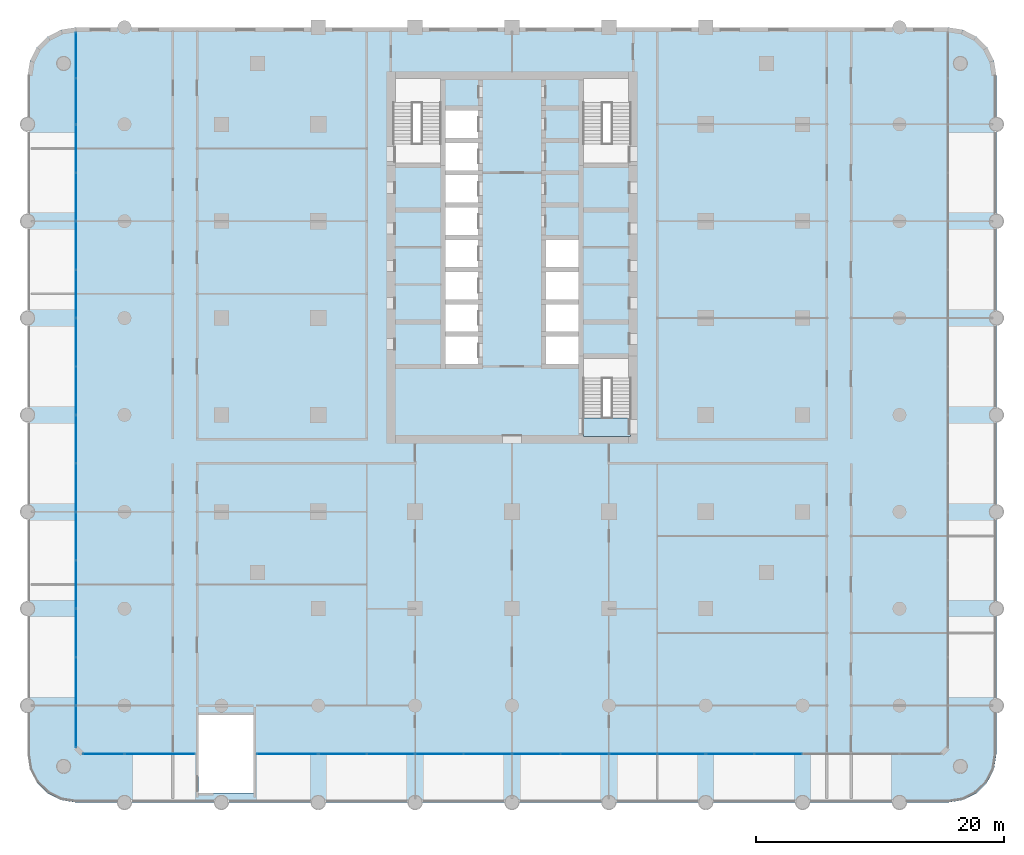
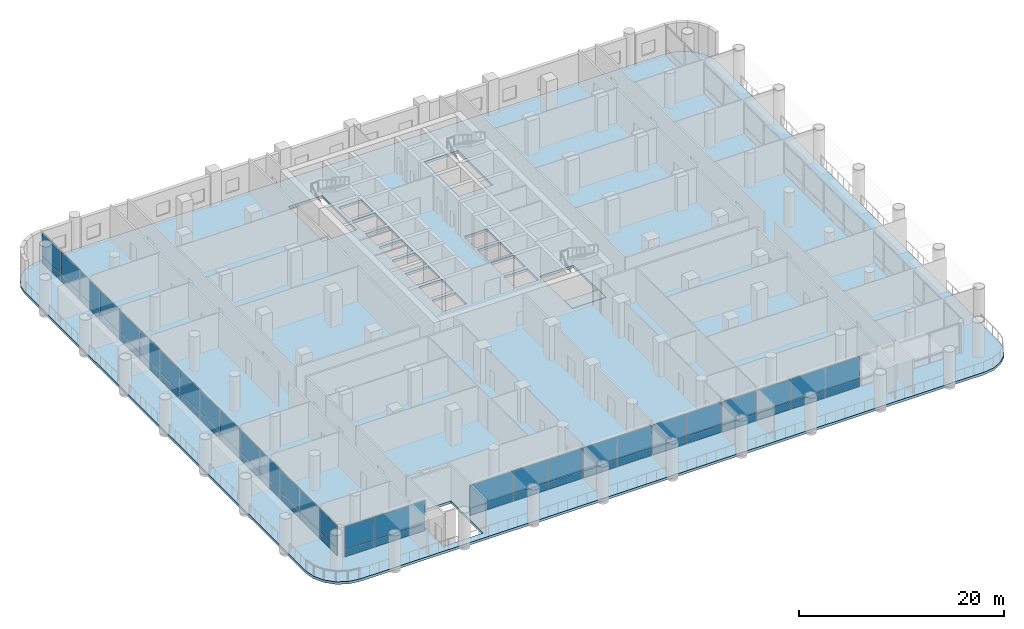
# One storey, part 8 of 23: 56 plates, 2 slabs, 17 elements without a shape of their own.
"""IFC4 building model written with IfcOpenShell, lengths in metres."""

from ifc_helpers import new_model, si_unit, direction, frame, origin, origin_2d, place, context, subcontext, project, spatial, polyline, rectangle, outline, extrude, material, layer, layer_set, type_object, element, aggregate, save


model = new_model("IFC4")

# Units and contexts
model_context = context("Model", 3, precision=1e-05, world=origin(), true_north=direction((0.0, 1.0)))
body_context = subcontext(model_context, "Body", "Model", "MODEL_VIEW")
ifc_project = project(units=[si_unit("LENGTHUNIT", "METRE"), si_unit("AREAUNIT", "SQUARE_METRE"), si_unit("VOLUMEUNIT", "CUBIC_METRE"), si_unit("PLANEANGLEUNIT", "RADIAN"), si_unit("MASSUNIT", "GRAM", prefix="KILO")], contexts=[model_context])

# Site, building, storey
site_placement = place(None, origin())
site = spatial("IfcSite", under=ifc_project, at=site_placement, CompositionType="ELEMENT")
building_placement = place(site_placement, origin())
building = spatial("IfcBuilding", under=site, at=building_placement, Name="Ludao Terraces", CompositionType="ELEMENT")
storey_placement = place(building_placement, frame((0.0, 0.0, 10.5)))
storey = spatial("IfcBuildingStorey", under=building, at=storey_placement, Name="L02", CompositionType="ELEMENT", Elevation=10.5)

# Curtain wall, plates
ifc_material_1 = material(Name="Aluminium curtain wall with fritted glass", Category="aluminium")
curtain_wall_type = type_object("IfcCurtainWallType", Name="ENV CW1 podium glazing", PredefinedType="NOTDEFINED", material=ifc_material_1)
curtain_wall_1_placement = place(storey_placement, origin())
curtain_wall_1 = element("IfcCurtainWall", 1, at=curtain_wall_1_placement, inside=storey, type_object=curtain_wall_type, Name="CW-L02-S1", PredefinedType="NOTDEFINED")
ifc_material_2 = material(Name="Fritted glass panel", Category="glass")
ifc_layer_1 = layer(ifc_material_2, 0.028076171875)
ifc_layer_set_1 = layer_set([ifc_layer_1], Name="ENV CW1 glass panel")
plate_type = type_object("IfcPlateType", Name="ENV CW1 glass panel", PredefinedType="CURTAIN_PANEL", material=ifc_layer_set_1)
plate_1_placement = place(storey_placement, frame((52.10009765625, 29.89990234375, 0.06005859375), z_axis=(0.0, 0.0, 1.0), x_axis=(1.0, 0.0, 0.0)))
plate_1 = element("IfcPlate", 2, at=plate_1_placement, type_object=plate_type, Name="CW1 panel 1.1", PredefinedType="CURTAIN_PANEL", context=body_context, shape_type="SweptSolid", body=[
    extrude(rectangle(XDim=3.280029296875, YDim=0.028076171875, at=origin_2d()), origin(), (0.0, 0.0, 1.0), 0.81005859375),
])
plate_2_placement = place(storey_placement, frame((52.10009765625, 29.89990234375, 0.929931640625), z_axis=(0.0, 0.0, 1.0), x_axis=(1.0, 0.0, 0.0)))
plate_2 = element("IfcPlate", 3, at=plate_2_placement, type_object=plate_type, Name="CW1 panel 1.2", PredefinedType="CURTAIN_PANEL", context=body_context, shape_type="SweptSolid", body=[
    extrude(rectangle(XDim=3.280029296875, YDim=0.028076171875, at=origin_2d()), origin(), (0.0, 0.0, 1.0), 2.7099609375),
])
aggregate(curtain_wall_1, [plate_1, plate_2])

curtain_wall_2_placement = place(storey_placement, origin())
curtain_wall_2 = element("IfcCurtainWall", 4, at=curtain_wall_2_placement, inside=storey, type_object=curtain_wall_type, Name="CW-L02-S2", PredefinedType="NOTDEFINED")
plate_3_placement = place(storey_placement, frame((56.6650390625, 29.89990234375, 0.06005859375), z_axis=(0.0, 0.0, 1.0), x_axis=(1.0, 0.0, 0.0)))
plate_3 = element("IfcPlate", 5, at=plate_3_placement, type_object=plate_type, Name="CW1 panel 1.1", PredefinedType="CURTAIN_PANEL", context=body_context, shape_type="SweptSolid", body=[
    extrude(rectangle(XDim=5.610107421875, YDim=0.028076171875, at=origin_2d()), origin(), (0.0, 0.0, 1.0), 0.81005859375),
])
plate_4_placement = place(storey_placement, frame((56.6650390625, 29.89990234375, 0.929931640625), z_axis=(0.0, 0.0, 1.0), x_axis=(1.0, 0.0, 0.0)))
plate_4 = element("IfcPlate", 6, at=plate_4_placement, type_object=plate_type, Name="CW1 panel 1.2", PredefinedType="CURTAIN_PANEL", context=body_context, shape_type="SweptSolid", body=[
    extrude(rectangle(XDim=5.610107421875, YDim=0.028076171875, at=origin_2d()), origin(), (0.0, 0.0, 1.0), 2.7099609375),
])
aggregate(curtain_wall_2, [plate_3, plate_4])

curtain_wall_3_placement = place(storey_placement, origin())
curtain_wall_3 = element("IfcCurtainWall", 7, at=curtain_wall_3_placement, inside=storey, type_object=curtain_wall_type, Name="CW-L02-S3", PredefinedType="NOTDEFINED")
plate_5_placement = place(storey_placement, frame((66.909912109375, 29.89990234375, 0.06005859375), z_axis=(0.0, 0.0, 1.0), x_axis=(1.0, 0.0, 0.0)))
plate_5 = element("IfcPlate", 8, at=plate_5_placement, type_object=plate_type, Name="CW1 panel 1.1", PredefinedType="CURTAIN_PANEL", context=body_context, shape_type="SweptSolid", body=[
    extrude(rectangle(XDim=4.860107421875, YDim=0.028076171875, at=origin_2d()), origin(), (0.0, 0.0, 1.0), 0.81005859375),
])
plate_6_placement = place(storey_placement, frame((66.909912109375, 29.89990234375, 0.929931640625), z_axis=(0.0, 0.0, 1.0), x_axis=(1.0, 0.0, 0.0)))
plate_6 = element("IfcPlate", 9, at=plate_6_placement, type_object=plate_type, Name="CW1 panel 1.2", PredefinedType="CURTAIN_PANEL", context=body_context, shape_type="SweptSolid", body=[
    extrude(rectangle(XDim=4.860107421875, YDim=0.028076171875, at=origin_2d()), origin(), (0.0, 0.0, 1.0), 2.7099609375),
])
aggregate(curtain_wall_3, [plate_5, plate_6])

curtain_wall_4_placement = place(storey_placement, origin())
curtain_wall_4 = element("IfcCurtainWall", 10, at=curtain_wall_4_placement, inside=storey, type_object=curtain_wall_type, Name="CW-L02-S4", PredefinedType="NOTDEFINED")
plate_7_placement = place(storey_placement, frame((71.364990234375, 29.89990234375, 0.06005859375), z_axis=(0.0, 0.0, 1.0), x_axis=(1.0, 0.0, 0.0)))
plate_7 = element("IfcPlate", 11, at=plate_7_placement, type_object=plate_type, Name="CW1 panel 1.1", PredefinedType="CURTAIN_PANEL", context=body_context, shape_type="SweptSolid", body=[
    extrude(rectangle(XDim=3.81005859375, YDim=0.028076171875, at=origin_2d()), origin(), (0.0, 0.0, 1.0), 0.81005859375),
])
plate_8_placement = place(storey_placement, frame((71.364990234375, 29.89990234375, 0.929931640625), z_axis=(0.0, 0.0, 1.0), x_axis=(1.0, 0.0, 0.0)))
plate_8 = element("IfcPlate", 12, at=plate_8_placement, type_object=plate_type, Name="CW1 panel 1.2", PredefinedType="CURTAIN_PANEL", context=body_context, shape_type="SweptSolid", body=[
    extrude(rectangle(XDim=3.81005859375, YDim=0.028076171875, at=origin_2d()), origin(), (0.0, 0.0, 1.0), 2.7099609375),
])
plate_9_placement = place(storey_placement, frame((75.235107421875, 29.89990234375, 0.06005859375), z_axis=(0.0, 0.0, 1.0), x_axis=(1.0, 0.0, 0.0)))
plate_9 = element("IfcPlate", 13, at=plate_9_placement, type_object=plate_type, Name="CW1 panel 2.1", PredefinedType="CURTAIN_PANEL", context=body_context, shape_type="SweptSolid", body=[
    extrude(rectangle(XDim=3.81005859375, YDim=0.028076171875, at=origin_2d()), origin(), (0.0, 0.0, 1.0), 0.81005859375),
])
plate_10_placement = place(storey_placement, frame((75.235107421875, 29.89990234375, 0.929931640625), z_axis=(0.0, 0.0, 1.0), x_axis=(1.0, 0.0, 0.0)))
plate_10 = element("IfcPlate", 14, at=plate_10_placement, type_object=plate_type, Name="CW1 panel 2.2", PredefinedType="CURTAIN_PANEL", context=body_context, shape_type="SweptSolid", body=[
    extrude(rectangle(XDim=3.81005859375, YDim=0.028076171875, at=origin_2d()), origin(), (0.0, 0.0, 1.0), 2.7099609375),
])
aggregate(curtain_wall_4, [plate_7, plate_8, plate_9, plate_10])

curtain_wall_5_placement = place(storey_placement, origin())
curtain_wall_5 = element("IfcCurtainWall", 15, at=curtain_wall_5_placement, inside=storey, type_object=curtain_wall_type, Name="CW-L02-S5", PredefinedType="NOTDEFINED")
plate_11_placement = place(storey_placement, frame((79.1650390625, 29.89990234375, 0.06005859375), z_axis=(0.0, 0.0, 1.0), x_axis=(1.0, 0.0, 0.0)))
plate_11 = element("IfcPlate", 16, at=plate_11_placement, type_object=plate_type, Name="CW1 panel 1.1", PredefinedType="CURTAIN_PANEL", context=body_context, shape_type="SweptSolid", body=[
    extrude(rectangle(XDim=3.81005859375, YDim=0.028076171875, at=origin_2d()), origin(), (0.0, 0.0, 1.0), 0.81005859375),
])
plate_12_placement = place(storey_placement, frame((79.1650390625, 29.89990234375, 0.929931640625), z_axis=(0.0, 0.0, 1.0), x_axis=(1.0, 0.0, 0.0)))
plate_12 = element("IfcPlate", 17, at=plate_12_placement, type_object=plate_type, Name="CW1 panel 1.2", PredefinedType="CURTAIN_PANEL", context=body_context, shape_type="SweptSolid", body=[
    extrude(rectangle(XDim=3.81005859375, YDim=0.028076171875, at=origin_2d()), origin(), (0.0, 0.0, 1.0), 2.7099609375),
])
plate_13_placement = place(storey_placement, frame((83.034912109375, 29.89990234375, 0.06005859375), z_axis=(0.0, 0.0, 1.0), x_axis=(1.0, 0.0, 0.0)))
plate_13 = element("IfcPlate", 18, at=plate_13_placement, type_object=plate_type, Name="CW1 panel 2.1", PredefinedType="CURTAIN_PANEL", context=body_context, shape_type="SweptSolid", body=[
    extrude(rectangle(XDim=3.81005859375, YDim=0.028076171875, at=origin_2d()), origin(), (0.0, 0.0, 1.0), 0.81005859375),
])
plate_14_placement = place(storey_placement, frame((83.034912109375, 29.89990234375, 0.929931640625), z_axis=(0.0, 0.0, 1.0), x_axis=(1.0, 0.0, 0.0)))
plate_14 = element("IfcPlate", 19, at=plate_14_placement, type_object=plate_type, Name="CW1 panel 2.2", PredefinedType="CURTAIN_PANEL", context=body_context, shape_type="SweptSolid", body=[
    extrude(rectangle(XDim=3.81005859375, YDim=0.028076171875, at=origin_2d()), origin(), (0.0, 0.0, 1.0), 2.7099609375),
])
aggregate(curtain_wall_5, [plate_11, plate_12, plate_13, plate_14])

curtain_wall_6_placement = place(storey_placement, origin())
curtain_wall_6 = element("IfcCurtainWall", 20, at=curtain_wall_6_placement, inside=storey, type_object=curtain_wall_type, Name="CW-L02-S6", PredefinedType="NOTDEFINED")
plate_15_placement = place(storey_placement, frame((86.965087890625, 29.89990234375, 0.06005859375), z_axis=(0.0, 0.0, 1.0), x_axis=(1.0, 0.0, 0.0)))
plate_15 = element("IfcPlate", 21, at=plate_15_placement, type_object=plate_type, Name="CW1 panel 1.1", PredefinedType="CURTAIN_PANEL", context=body_context, shape_type="SweptSolid", body=[
    extrude(rectangle(XDim=3.81005859375, YDim=0.028076171875, at=origin_2d()), origin(), (0.0, 0.0, 1.0), 0.81005859375),
])
plate_16_placement = place(storey_placement, frame((86.965087890625, 29.89990234375, 0.929931640625), z_axis=(0.0, 0.0, 1.0), x_axis=(1.0, 0.0, 0.0)))
plate_16 = element("IfcPlate", 22, at=plate_16_placement, type_object=plate_type, Name="CW1 panel 1.2", PredefinedType="CURTAIN_PANEL", context=body_context, shape_type="SweptSolid", body=[
    extrude(rectangle(XDim=3.81005859375, YDim=0.028076171875, at=origin_2d()), origin(), (0.0, 0.0, 1.0), 2.7099609375),
])
plate_17_placement = place(storey_placement, frame((90.8349609375, 29.89990234375, 0.06005859375), z_axis=(0.0, 0.0, 1.0), x_axis=(1.0, 0.0, 0.0)))
plate_17 = element("IfcPlate", 23, at=plate_17_placement, type_object=plate_type, Name="CW1 panel 2.1", PredefinedType="CURTAIN_PANEL", context=body_context, shape_type="SweptSolid", body=[
    extrude(rectangle(XDim=3.81005859375, YDim=0.028076171875, at=origin_2d()), origin(), (0.0, 0.0, 1.0), 0.81005859375),
])
plate_18_placement = place(storey_placement, frame((90.8349609375, 29.89990234375, 0.929931640625), z_axis=(0.0, 0.0, 1.0), x_axis=(1.0, 0.0, 0.0)))
plate_18 = element("IfcPlate", 24, at=plate_18_placement, type_object=plate_type, Name="CW1 panel 2.2", PredefinedType="CURTAIN_PANEL", context=body_context, shape_type="SweptSolid", body=[
    extrude(rectangle(XDim=3.81005859375, YDim=0.028076171875, at=origin_2d()), origin(), (0.0, 0.0, 1.0), 2.7099609375),
])
aggregate(curtain_wall_6, [plate_15, plate_16, plate_17, plate_18])

curtain_wall_7_placement = place(storey_placement, origin())
curtain_wall_7 = element("IfcCurtainWall", 25, at=curtain_wall_7_placement, inside=storey, type_object=curtain_wall_type, Name="CW-L02-S7", PredefinedType="NOTDEFINED")
plate_19_placement = place(storey_placement, frame((94.764892578125, 29.89990234375, 0.06005859375), z_axis=(0.0, 0.0, 1.0), x_axis=(1.0, 0.0, 0.0)))
plate_19 = element("IfcPlate", 26, at=plate_19_placement, type_object=plate_type, Name="CW1 panel 1.1", PredefinedType="CURTAIN_PANEL", context=body_context, shape_type="SweptSolid", body=[
    extrude(rectangle(XDim=3.81005859375, YDim=0.028076171875, at=origin_2d()), origin(), (0.0, 0.0, 1.0), 0.81005859375),
])
plate_20_placement = place(storey_placement, frame((94.764892578125, 29.89990234375, 0.929931640625), z_axis=(0.0, 0.0, 1.0), x_axis=(1.0, 0.0, 0.0)))
plate_20 = element("IfcPlate", 27, at=plate_20_placement, type_object=plate_type, Name="CW1 panel 1.2", PredefinedType="CURTAIN_PANEL", context=body_context, shape_type="SweptSolid", body=[
    extrude(rectangle(XDim=3.81005859375, YDim=0.028076171875, at=origin_2d()), origin(), (0.0, 0.0, 1.0), 2.7099609375),
])
plate_21_placement = place(storey_placement, frame((98.635009765625, 29.89990234375, 0.06005859375), z_axis=(0.0, 0.0, 1.0), x_axis=(1.0, 0.0, 0.0)))
plate_21 = element("IfcPlate", 28, at=plate_21_placement, type_object=plate_type, Name="CW1 panel 2.1", PredefinedType="CURTAIN_PANEL", context=body_context, shape_type="SweptSolid", body=[
    extrude(rectangle(XDim=3.81005859375, YDim=0.028076171875, at=origin_2d()), origin(), (0.0, 0.0, 1.0), 0.81005859375),
])
plate_22_placement = place(storey_placement, frame((98.635009765625, 29.89990234375, 0.929931640625), z_axis=(0.0, 0.0, 1.0), x_axis=(1.0, 0.0, 0.0)))
plate_22 = element("IfcPlate", 29, at=plate_22_placement, type_object=plate_type, Name="CW1 panel 2.2", PredefinedType="CURTAIN_PANEL", context=body_context, shape_type="SweptSolid", body=[
    extrude(rectangle(XDim=3.81005859375, YDim=0.028076171875, at=origin_2d()), origin(), (0.0, 0.0, 1.0), 2.7099609375),
])
aggregate(curtain_wall_7, [plate_19, plate_20, plate_21, plate_22])

curtain_wall_8_placement = place(storey_placement, origin())
curtain_wall_8 = element("IfcCurtainWall", 30, at=curtain_wall_8_placement, inside=storey, type_object=curtain_wall_type, Name="CW-L02-S8", PredefinedType="NOTDEFINED")
plate_23_placement = place(storey_placement, frame((102.56494140625, 29.89990234375, 0.06005859375), z_axis=(0.0, 0.0, 1.0), x_axis=(1.0, 0.0, 0.0)))
plate_23 = element("IfcPlate", 31, at=plate_23_placement, type_object=plate_type, Name="CW1 panel 1.1", PredefinedType="CURTAIN_PANEL", context=body_context, shape_type="SweptSolid", body=[
    extrude(rectangle(XDim=3.81005859375, YDim=0.028076171875, at=origin_2d()), origin(), (0.0, 0.0, 1.0), 0.81005859375),
])
plate_24_placement = place(storey_placement, frame((102.56494140625, 29.89990234375, 0.929931640625), z_axis=(0.0, 0.0, 1.0), x_axis=(1.0, 0.0, 0.0)))
plate_24 = element("IfcPlate", 32, at=plate_24_placement, type_object=plate_type, Name="CW1 panel 1.2", PredefinedType="CURTAIN_PANEL", context=body_context, shape_type="SweptSolid", body=[
    extrude(rectangle(XDim=3.81005859375, YDim=0.028076171875, at=origin_2d()), origin(), (0.0, 0.0, 1.0), 2.7099609375),
])
plate_25_placement = place(storey_placement, frame((106.43505859375, 29.89990234375, 0.06005859375), z_axis=(0.0, 0.0, 1.0), x_axis=(1.0, 0.0, 0.0)))
plate_25 = element("IfcPlate", 33, at=plate_25_placement, type_object=plate_type, Name="CW1 panel 2.1", PredefinedType="CURTAIN_PANEL", context=body_context, shape_type="SweptSolid", body=[
    extrude(rectangle(XDim=3.81005859375, YDim=0.028076171875, at=origin_2d()), origin(), (0.0, 0.0, 1.0), 0.81005859375),
])
plate_26_placement = place(storey_placement, frame((106.43505859375, 29.89990234375, 0.929931640625), z_axis=(0.0, 0.0, 1.0), x_axis=(1.0, 0.0, 0.0)))
plate_26 = element("IfcPlate", 34, at=plate_26_placement, type_object=plate_type, Name="CW1 panel 2.2", PredefinedType="CURTAIN_PANEL", context=body_context, shape_type="SweptSolid", body=[
    extrude(rectangle(XDim=3.81005859375, YDim=0.028076171875, at=origin_2d()), origin(), (0.0, 0.0, 1.0), 2.7099609375),
])
aggregate(curtain_wall_8, [plate_23, plate_24, plate_25, plate_26])

curtain_wall_9_placement = place(storey_placement, origin())
curtain_wall_9 = element("IfcCurtainWall", 35, at=curtain_wall_9_placement, inside=storey, type_object=curtain_wall_type, Name="CW-L02-W1", PredefinedType="NOTDEFINED")
plate_27_placement = place(storey_placement, frame((49.89990234375, 32.10009765625, 0.06005859375), z_axis=(0.0, 0.0, 1.0), x_axis=(0.0, 1.0, 0.0)))
plate_27 = element("IfcPlate", 36, at=plate_27_placement, type_object=plate_type, Name="CW1 panel 1.1", PredefinedType="CURTAIN_PANEL", context=body_context, shape_type="SweptSolid", body=[
    extrude(rectangle(XDim=3.280029296875, YDim=0.028076171875, at=origin_2d()), origin(), (0.0, 0.0, 1.0), 0.81005859375),
])
plate_28_placement = place(storey_placement, frame((49.89990234375, 32.10009765625, 0.929931640625), z_axis=(0.0, 0.0, 1.0), x_axis=(0.0, 1.0, 0.0)))
plate_28 = element("IfcPlate", 37, at=plate_28_placement, type_object=plate_type, Name="CW1 panel 1.2", PredefinedType="CURTAIN_PANEL", context=body_context, shape_type="SweptSolid", body=[
    extrude(rectangle(XDim=3.280029296875, YDim=0.028076171875, at=origin_2d()), origin(), (0.0, 0.0, 1.0), 2.7099609375),
])
aggregate(curtain_wall_9, [plate_27, plate_28])

curtain_wall_10_placement = place(storey_placement, origin())
curtain_wall_10 = element("IfcCurtainWall", 38, at=curtain_wall_10_placement, inside=storey, type_object=curtain_wall_type, Name="CW-L02-W2", PredefinedType="NOTDEFINED")
plate_29_placement = place(storey_placement, frame((49.89990234375, 35.764892578125, 0.06005859375), z_axis=(0.0, 0.0, 1.0), x_axis=(0.0, 1.0, 0.0)))
plate_29 = element("IfcPlate", 39, at=plate_29_placement, type_object=plate_type, Name="CW1 panel 1.1", PredefinedType="CURTAIN_PANEL", context=body_context, shape_type="SweptSolid", body=[
    extrude(rectangle(XDim=3.81005859375, YDim=0.028076171875, at=origin_2d()), origin(), (0.0, 0.0, 1.0), 0.81005859375),
])
plate_30_placement = place(storey_placement, frame((49.89990234375, 35.764892578125, 0.929931640625), z_axis=(0.0, 0.0, 1.0), x_axis=(0.0, 1.0, 0.0)))
plate_30 = element("IfcPlate", 40, at=plate_30_placement, type_object=plate_type, Name="CW1 panel 1.2", PredefinedType="CURTAIN_PANEL", context=body_context, shape_type="SweptSolid", body=[
    extrude(rectangle(XDim=3.81005859375, YDim=0.028076171875, at=origin_2d()), origin(), (0.0, 0.0, 1.0), 2.7099609375),
])
plate_31_placement = place(storey_placement, frame((49.89990234375, 39.635009765625, 0.06005859375), z_axis=(0.0, 0.0, 1.0), x_axis=(0.0, 1.0, 0.0)))
plate_31 = element("IfcPlate", 41, at=plate_31_placement, type_object=plate_type, Name="CW1 panel 2.1", PredefinedType="CURTAIN_PANEL", context=body_context, shape_type="SweptSolid", body=[
    extrude(rectangle(XDim=3.81005859375, YDim=0.028076171875, at=origin_2d()), origin(), (0.0, 0.0, 1.0), 0.81005859375),
])
plate_32_placement = place(storey_placement, frame((49.89990234375, 39.635009765625, 0.929931640625), z_axis=(0.0, 0.0, 1.0), x_axis=(0.0, 1.0, 0.0)))
plate_32 = element("IfcPlate", 42, at=plate_32_placement, type_object=plate_type, Name="CW1 panel 2.2", PredefinedType="CURTAIN_PANEL", context=body_context, shape_type="SweptSolid", body=[
    extrude(rectangle(XDim=3.81005859375, YDim=0.028076171875, at=origin_2d()), origin(), (0.0, 0.0, 1.0), 2.7099609375),
])
aggregate(curtain_wall_10, [plate_29, plate_30, plate_31, plate_32])

curtain_wall_11_placement = place(storey_placement, origin())
curtain_wall_11 = element("IfcCurtainWall", 43, at=curtain_wall_11_placement, inside=storey, type_object=curtain_wall_type, Name="CW-L02-W3", PredefinedType="NOTDEFINED")
plate_33_placement = place(storey_placement, frame((49.89990234375, 43.56494140625, 0.06005859375), z_axis=(0.0, 0.0, 1.0), x_axis=(0.0, 1.0, 0.0)))
plate_33 = element("IfcPlate", 44, at=plate_33_placement, type_object=plate_type, Name="CW1 panel 1.1", PredefinedType="CURTAIN_PANEL", context=body_context, shape_type="SweptSolid", body=[
    extrude(rectangle(XDim=3.81005859375, YDim=0.028076171875, at=origin_2d()), origin(), (0.0, 0.0, 1.0), 0.81005859375),
])
plate_34_placement = place(storey_placement, frame((49.89990234375, 43.56494140625, 0.929931640625), z_axis=(0.0, 0.0, 1.0), x_axis=(0.0, 1.0, 0.0)))
plate_34 = element("IfcPlate", 45, at=plate_34_placement, type_object=plate_type, Name="CW1 panel 1.2", PredefinedType="CURTAIN_PANEL", context=body_context, shape_type="SweptSolid", body=[
    extrude(rectangle(XDim=3.81005859375, YDim=0.028076171875, at=origin_2d()), origin(), (0.0, 0.0, 1.0), 2.7099609375),
])
plate_35_placement = place(storey_placement, frame((49.89990234375, 47.43505859375, 0.06005859375), z_axis=(0.0, 0.0, 1.0), x_axis=(0.0, 1.0, 0.0)))
plate_35 = element("IfcPlate", 46, at=plate_35_placement, type_object=plate_type, Name="CW1 panel 2.1", PredefinedType="CURTAIN_PANEL", context=body_context, shape_type="SweptSolid", body=[
    extrude(rectangle(XDim=3.81005859375, YDim=0.028076171875, at=origin_2d()), origin(), (0.0, 0.0, 1.0), 0.81005859375),
])
plate_36_placement = place(storey_placement, frame((49.89990234375, 47.43505859375, 0.929931640625), z_axis=(0.0, 0.0, 1.0), x_axis=(0.0, 1.0, 0.0)))
plate_36 = element("IfcPlate", 47, at=plate_36_placement, type_object=plate_type, Name="CW1 panel 2.2", PredefinedType="CURTAIN_PANEL", context=body_context, shape_type="SweptSolid", body=[
    extrude(rectangle(XDim=3.81005859375, YDim=0.028076171875, at=origin_2d()), origin(), (0.0, 0.0, 1.0), 2.7099609375),
])
aggregate(curtain_wall_11, [plate_33, plate_34, plate_35, plate_36])

curtain_wall_12_placement = place(storey_placement, origin())
curtain_wall_12 = element("IfcCurtainWall", 48, at=curtain_wall_12_placement, inside=storey, type_object=curtain_wall_type, Name="CW-L02-W4", PredefinedType="NOTDEFINED")
plate_37_placement = place(storey_placement, frame((49.89990234375, 51.364990234375, 0.06005859375), z_axis=(0.0, 0.0, 1.0), x_axis=(0.0, 1.0, 0.0)))
plate_37 = element("IfcPlate", 49, at=plate_37_placement, type_object=plate_type, Name="CW1 panel 1.1", PredefinedType="CURTAIN_PANEL", context=body_context, shape_type="SweptSolid", body=[
    extrude(rectangle(XDim=3.81005859375, YDim=0.028076171875, at=origin_2d()), origin(), (0.0, 0.0, 1.0), 0.81005859375),
])
plate_38_placement = place(storey_placement, frame((49.89990234375, 51.364990234375, 0.929931640625), z_axis=(0.0, 0.0, 1.0), x_axis=(0.0, 1.0, 0.0)))
plate_38 = element("IfcPlate", 50, at=plate_38_placement, type_object=plate_type, Name="CW1 panel 1.2", PredefinedType="CURTAIN_PANEL", context=body_context, shape_type="SweptSolid", body=[
    extrude(rectangle(XDim=3.81005859375, YDim=0.028076171875, at=origin_2d()), origin(), (0.0, 0.0, 1.0), 2.7099609375),
])
plate_39_placement = place(storey_placement, frame((49.89990234375, 55.235107421875, 0.06005859375), z_axis=(0.0, 0.0, 1.0), x_axis=(0.0, 1.0, 0.0)))
plate_39 = element("IfcPlate", 51, at=plate_39_placement, type_object=plate_type, Name="CW1 panel 2.1", PredefinedType="CURTAIN_PANEL", context=body_context, shape_type="SweptSolid", body=[
    extrude(rectangle(XDim=3.81005859375, YDim=0.028076171875, at=origin_2d()), origin(), (0.0, 0.0, 1.0), 0.81005859375),
])
plate_40_placement = place(storey_placement, frame((49.89990234375, 55.235107421875, 0.929931640625), z_axis=(0.0, 0.0, 1.0), x_axis=(0.0, 1.0, 0.0)))
plate_40 = element("IfcPlate", 52, at=plate_40_placement, type_object=plate_type, Name="CW1 panel 2.2", PredefinedType="CURTAIN_PANEL", context=body_context, shape_type="SweptSolid", body=[
    extrude(rectangle(XDim=3.81005859375, YDim=0.028076171875, at=origin_2d()), origin(), (0.0, 0.0, 1.0), 2.7099609375),
])
aggregate(curtain_wall_12, [plate_37, plate_38, plate_39, plate_40])

curtain_wall_13_placement = place(storey_placement, origin())
curtain_wall_13 = element("IfcCurtainWall", 53, at=curtain_wall_13_placement, inside=storey, type_object=curtain_wall_type, Name="CW-L02-W5", PredefinedType="NOTDEFINED")
plate_41_placement = place(storey_placement, frame((49.89990234375, 59.1650390625, 0.06005859375), z_axis=(0.0, 0.0, 1.0), x_axis=(0.0, 1.0, 0.0)))
plate_41 = element("IfcPlate", 54, at=plate_41_placement, type_object=plate_type, Name="CW1 panel 1.1", PredefinedType="CURTAIN_PANEL", context=body_context, shape_type="SweptSolid", body=[
    extrude(rectangle(XDim=3.81005859375, YDim=0.028076171875, at=origin_2d()), origin(), (0.0, 0.0, 1.0), 0.81005859375),
])
plate_42_placement = place(storey_placement, frame((49.89990234375, 59.1650390625, 0.929931640625), z_axis=(0.0, 0.0, 1.0), x_axis=(0.0, 1.0, 0.0)))
plate_42 = element("IfcPlate", 55, at=plate_42_placement, type_object=plate_type, Name="CW1 panel 1.2", PredefinedType="CURTAIN_PANEL", context=body_context, shape_type="SweptSolid", body=[
    extrude(rectangle(XDim=3.81005859375, YDim=0.028076171875, at=origin_2d()), origin(), (0.0, 0.0, 1.0), 2.7099609375),
])
plate_43_placement = place(storey_placement, frame((49.89990234375, 63.034912109375, 0.06005859375), z_axis=(0.0, 0.0, 1.0), x_axis=(0.0, 1.0, 0.0)))
plate_43 = element("IfcPlate", 56, at=plate_43_placement, type_object=plate_type, Name="CW1 panel 2.1", PredefinedType="CURTAIN_PANEL", context=body_context, shape_type="SweptSolid", body=[
    extrude(rectangle(XDim=3.81005859375, YDim=0.028076171875, at=origin_2d()), origin(), (0.0, 0.0, 1.0), 0.81005859375),
])
plate_44_placement = place(storey_placement, frame((49.89990234375, 63.034912109375, 0.929931640625), z_axis=(0.0, 0.0, 1.0), x_axis=(0.0, 1.0, 0.0)))
plate_44 = element("IfcPlate", 57, at=plate_44_placement, type_object=plate_type, Name="CW1 panel 2.2", PredefinedType="CURTAIN_PANEL", context=body_context, shape_type="SweptSolid", body=[
    extrude(rectangle(XDim=3.81005859375, YDim=0.028076171875, at=origin_2d()), origin(), (0.0, 0.0, 1.0), 2.7099609375),
])
aggregate(curtain_wall_13, [plate_41, plate_42, plate_43, plate_44])

curtain_wall_14_placement = place(storey_placement, origin())
curtain_wall_14 = element("IfcCurtainWall", 58, at=curtain_wall_14_placement, inside=storey, type_object=curtain_wall_type, Name="CW-L02-W6", PredefinedType="NOTDEFINED")
plate_45_placement = place(storey_placement, frame((49.89990234375, 66.965087890625, 0.06005859375), z_axis=(0.0, 0.0, 1.0), x_axis=(0.0, 1.0, 0.0)))
plate_45 = element("IfcPlate", 59, at=plate_45_placement, type_object=plate_type, Name="CW1 panel 1.1", PredefinedType="CURTAIN_PANEL", context=body_context, shape_type="SweptSolid", body=[
    extrude(rectangle(XDim=3.81005859375, YDim=0.028076171875, at=origin_2d()), origin(), (0.0, 0.0, 1.0), 0.81005859375),
])
plate_46_placement = place(storey_placement, frame((49.89990234375, 66.965087890625, 0.929931640625), z_axis=(0.0, 0.0, 1.0), x_axis=(0.0, 1.0, 0.0)))
plate_46 = element("IfcPlate", 60, at=plate_46_placement, type_object=plate_type, Name="CW1 panel 1.2", PredefinedType="CURTAIN_PANEL", context=body_context, shape_type="SweptSolid", body=[
    extrude(rectangle(XDim=3.81005859375, YDim=0.028076171875, at=origin_2d()), origin(), (0.0, 0.0, 1.0), 2.7099609375),
])
plate_47_placement = place(storey_placement, frame((49.89990234375, 70.8349609375, 0.06005859375), z_axis=(0.0, 0.0, 1.0), x_axis=(0.0, 1.0, 0.0)))
plate_47 = element("IfcPlate", 61, at=plate_47_placement, type_object=plate_type, Name="CW1 panel 2.1", PredefinedType="CURTAIN_PANEL", context=body_context, shape_type="SweptSolid", body=[
    extrude(rectangle(XDim=3.81005859375, YDim=0.028076171875, at=origin_2d()), origin(), (0.0, 0.0, 1.0), 0.81005859375),
])
plate_48_placement = place(storey_placement, frame((49.89990234375, 70.8349609375, 0.929931640625), z_axis=(0.0, 0.0, 1.0), x_axis=(0.0, 1.0, 0.0)))
plate_48 = element("IfcPlate", 62, at=plate_48_placement, type_object=plate_type, Name="CW1 panel 2.2", PredefinedType="CURTAIN_PANEL", context=body_context, shape_type="SweptSolid", body=[
    extrude(rectangle(XDim=3.81005859375, YDim=0.028076171875, at=origin_2d()), origin(), (0.0, 0.0, 1.0), 2.7099609375),
])
aggregate(curtain_wall_14, [plate_45, plate_46, plate_47, plate_48])

curtain_wall_15_placement = place(storey_placement, origin())
curtain_wall_15 = element("IfcCurtainWall", 63, at=curtain_wall_15_placement, inside=storey, type_object=curtain_wall_type, Name="CW-L02-W7", PredefinedType="NOTDEFINED")
plate_49_placement = place(storey_placement, frame((49.89990234375, 74.764892578125, 0.06005859375), z_axis=(0.0, 0.0, 1.0), x_axis=(0.0, 1.0, 0.0)))
plate_49 = element("IfcPlate", 64, at=plate_49_placement, type_object=plate_type, Name="CW1 panel 1.1", PredefinedType="CURTAIN_PANEL", context=body_context, shape_type="SweptSolid", body=[
    extrude(rectangle(XDim=3.81005859375, YDim=0.028076171875, at=origin_2d()), origin(), (0.0, 0.0, 1.0), 0.81005859375),
])
plate_50_placement = place(storey_placement, frame((49.89990234375, 74.764892578125, 0.929931640625), z_axis=(0.0, 0.0, 1.0), x_axis=(0.0, 1.0, 0.0)))
plate_50 = element("IfcPlate", 65, at=plate_50_placement, type_object=plate_type, Name="CW1 panel 1.2", PredefinedType="CURTAIN_PANEL", context=body_context, shape_type="SweptSolid", body=[
    extrude(rectangle(XDim=3.81005859375, YDim=0.028076171875, at=origin_2d()), origin(), (0.0, 0.0, 1.0), 2.7099609375),
])
plate_51_placement = place(storey_placement, frame((49.89990234375, 78.635009765625, 0.06005859375), z_axis=(0.0, 0.0, 1.0), x_axis=(0.0, 1.0, 0.0)))
plate_51 = element("IfcPlate", 66, at=plate_51_placement, type_object=plate_type, Name="CW1 panel 2.1", PredefinedType="CURTAIN_PANEL", context=body_context, shape_type="SweptSolid", body=[
    extrude(rectangle(XDim=3.81005859375, YDim=0.028076171875, at=origin_2d()), origin(), (0.0, 0.0, 1.0), 0.81005859375),
])
plate_52_placement = place(storey_placement, frame((49.89990234375, 78.635009765625, 0.929931640625), z_axis=(0.0, 0.0, 1.0), x_axis=(0.0, 1.0, 0.0)))
plate_52 = element("IfcPlate", 67, at=plate_52_placement, type_object=plate_type, Name="CW1 panel 2.2", PredefinedType="CURTAIN_PANEL", context=body_context, shape_type="SweptSolid", body=[
    extrude(rectangle(XDim=3.81005859375, YDim=0.028076171875, at=origin_2d()), origin(), (0.0, 0.0, 1.0), 2.7099609375),
])
aggregate(curtain_wall_15, [plate_49, plate_50, plate_51, plate_52])

curtain_wall_16_placement = place(storey_placement, origin())
curtain_wall_16 = element("IfcCurtainWall", 68, at=curtain_wall_16_placement, inside=storey, type_object=curtain_wall_type, Name="CW-L02-W8", PredefinedType="NOTDEFINED")
plate_53_placement = place(storey_placement, frame((49.89990234375, 82.469970703125, 0.06005859375), z_axis=(0.0, 0.0, 1.0), x_axis=(0.0, 1.0, 0.0)))
plate_53 = element("IfcPlate", 69, at=plate_53_placement, type_object=plate_type, Name="CW1 panel 1.1", PredefinedType="CURTAIN_PANEL", context=body_context, shape_type="SweptSolid", body=[
    extrude(rectangle(XDim=3.6201171875, YDim=0.028076171875, at=origin_2d()), origin(), (0.0, 0.0, 1.0), 0.81005859375),
])
plate_54_placement = place(storey_placement, frame((49.89990234375, 82.469970703125, 0.929931640625), z_axis=(0.0, 0.0, 1.0), x_axis=(0.0, 1.0, 0.0)))
plate_54 = element("IfcPlate", 70, at=plate_54_placement, type_object=plate_type, Name="CW1 panel 1.2", PredefinedType="CURTAIN_PANEL", context=body_context, shape_type="SweptSolid", body=[
    extrude(rectangle(XDim=3.6201171875, YDim=0.028076171875, at=origin_2d()), origin(), (0.0, 0.0, 1.0), 2.7099609375),
])
plate_55_placement = place(storey_placement, frame((49.89990234375, 86.14990234375, 0.06005859375), z_axis=(0.0, 0.0, 1.0), x_axis=(0.0, 1.0, 0.0)))
plate_55 = element("IfcPlate", 71, at=plate_55_placement, type_object=plate_type, Name="CW1 panel 2.1", PredefinedType="CURTAIN_PANEL", context=body_context, shape_type="SweptSolid", body=[
    extrude(rectangle(XDim=3.6201171875, YDim=0.028076171875, at=origin_2d()), origin(), (0.0, 0.0, 1.0), 0.81005859375),
])
plate_56_placement = place(storey_placement, frame((49.89990234375, 86.14990234375, 0.929931640625), z_axis=(0.0, 0.0, 1.0), x_axis=(0.0, 1.0, 0.0)))
plate_56 = element("IfcPlate", 72, at=plate_56_placement, type_object=plate_type, Name="CW1 panel 2.2", PredefinedType="CURTAIN_PANEL", context=body_context, shape_type="SweptSolid", body=[
    extrude(rectangle(XDim=3.6201171875, YDim=0.028076171875, at=origin_2d()), origin(), (0.0, 0.0, 1.0), 2.7099609375),
])
aggregate(curtain_wall_16, [plate_53, plate_54, plate_55, plate_56])

# Slab
ifc_material_3 = material(Name="Concrete C40", Category="concrete")
ifc_layer_2 = layer(ifc_material_3, 0.300048828125)
ifc_layer_set_2 = layer_set([ifc_layer_2], Name="Floor slab 300 C40")
slab_type_1 = type_object("IfcSlabType", Name="Floor slab 300 C40", PredefinedType="FLOOR", material=ifc_layer_set_2)
slab_1_placement = place(storey_placement, frame((0.0, 0.0, -0.300048828125)))
element("IfcSlab", 73, at=slab_1_placement, inside=storey, type_object=slab_type_1, Name="Slab L02", PredefinedType="FLOOR", context=body_context, shape_type="SweptSolid", body=[
    extrude(outline(polyline([(120.10009765625, 26.0), (121.30517578125, 26.19091796875), (122.392333984375, 26.744873046875), (123.255126953125, 27.607666015625), (123.80908203125, 28.69482421875), (124.0, 29.89990234375), (124.0, 84.5), (123.80908203125, 85.705078125), (123.255126953125, 86.79248046875), (122.392333984375, 87.6552734375), (121.30517578125, 88.209228515625), (120.10009765625, 88.39990234375), (49.89990234375, 88.39990234375), (48.69482421875, 88.209228515625), (47.607666015625, 87.6552734375), (46.744873046875, 86.79248046875), (46.19091796875, 85.705078125), (46.0, 84.5), (46.0, 29.89990234375), (46.19091796875, 28.69482421875), (46.744873046875, 27.607666015625), (47.607666015625, 26.744873046875), (48.69482421875, 26.19091796875), (49.89990234375, 26.0), (120.10009765625, 26.0)]), holes=[polyline([(79.64990234375, 61.300048828125), (82.25, 61.300048828125), (82.25, 63.5), (79.64990234375, 63.5), (79.64990234375, 61.300048828125)]), polyline([(79.64990234375, 63.89990234375), (82.25, 63.89990234375), (82.25, 66.10009765625), (79.64990234375, 66.10009765625), (79.64990234375, 63.89990234375)]), polyline([(79.64990234375, 66.5), (82.25, 66.5), (82.25, 68.699951171875), (79.64990234375, 68.699951171875), (79.64990234375, 66.5)]), polyline([(79.64990234375, 69.10009765625), (82.25, 69.10009765625), (82.25, 71.300048828125), (79.64990234375, 71.300048828125), (79.64990234375, 69.10009765625)]), polyline([(79.64990234375, 71.699951171875), (82.25, 71.699951171875), (82.25, 73.89990234375), (79.64990234375, 73.89990234375), (79.64990234375, 71.699951171875)]), polyline([(79.64990234375, 74.300048828125), (82.25, 74.300048828125), (82.25, 76.5), (79.64990234375, 76.5), (79.64990234375, 74.300048828125)]), polyline([(79.64990234375, 76.89990234375), (82.25, 76.89990234375), (82.25, 79.10009765625), (79.64990234375, 79.10009765625), (79.64990234375, 76.89990234375)]), polyline([(79.64990234375, 79.5), (82.25, 79.5), (82.25, 81.699951171875), (79.64990234375, 81.699951171875), (79.64990234375, 79.5)]), polyline([(87.75, 61.300048828125), (90.35009765625, 61.300048828125), (90.35009765625, 63.5), (87.75, 63.5), (87.75, 61.300048828125)]), polyline([(87.75, 63.89990234375), (90.35009765625, 63.89990234375), (90.35009765625, 66.10009765625), (87.75, 66.10009765625), (87.75, 63.89990234375)]), polyline([(87.75, 66.5), (90.35009765625, 66.5), (90.35009765625, 68.699951171875), (87.75, 68.699951171875), (87.75, 66.5)]), polyline([(87.75, 69.10009765625), (90.35009765625, 69.10009765625), (90.35009765625, 71.300048828125), (87.75, 71.300048828125), (87.75, 69.10009765625)]), polyline([(75.449951171875, 77.5), (79.25, 77.5), (79.25, 84.239990234375), (75.449951171875, 84.239990234375), (75.449951171875, 77.5)]), polyline([(90.75, 77.5), (94.550048828125, 77.5), (94.550048828125, 84.239990234375), (90.75, 84.239990234375), (90.75, 77.5)]), polyline([(90.75, 55.449951171875), (94.550048828125, 55.449951171875), (94.550048828125, 61.75), (90.75, 61.75), (90.75, 55.449951171875)]), polyline([(59.75, 26.75), (64.199951171875, 26.75), (64.199951171875, 33.050048828125), (59.75, 33.050048828125), (59.75, 26.75)])]), origin(), (0.0, 0.0, 1.0), 0.300048828125),
])

# Stair, slab
stair_type = type_object("IfcStairType", Name="INT Stair", PredefinedType="HALF_TURN_STAIR", material=ifc_material_3)
stair_placement = place(storey_placement, origin())
stair = element("IfcStair", 74, at=stair_placement, inside=storey, type_object=stair_type, Name="EXIT STAIR 3", PredefinedType="HALF_TURN_STAIR")
ifc_layer_3 = layer(ifc_material_3, 0.199951171875)
ifc_layer_set_3 = layer_set([ifc_layer_3], Name="INT Stair landing 200")
slab_type_2 = type_object("IfcSlabType", Name="INT Stair landing 200", PredefinedType="LANDING", material=ifc_layer_set_3)
slab_2_placement = place(storey_placement, frame((0.0, 0.0, -0.199951171875)))
slab_2 = element("IfcSlab", 75, at=slab_2_placement, type_object=slab_type_2, Name="ST3 landing 2", PredefinedType="LANDING", context=body_context, shape_type="SweptSolid", body=[
    extrude(outline(polyline([(90.75, 55.449951171875), (94.550048828125, 55.449951171875), (94.550048828125, 56.949951171875), (90.75, 56.949951171875), (90.75, 55.449951171875)])), origin(), (0.0, 0.0, 1.0), 0.199951171875),
])
aggregate(stair, [slab_2])

save(model, "model.ifc")
